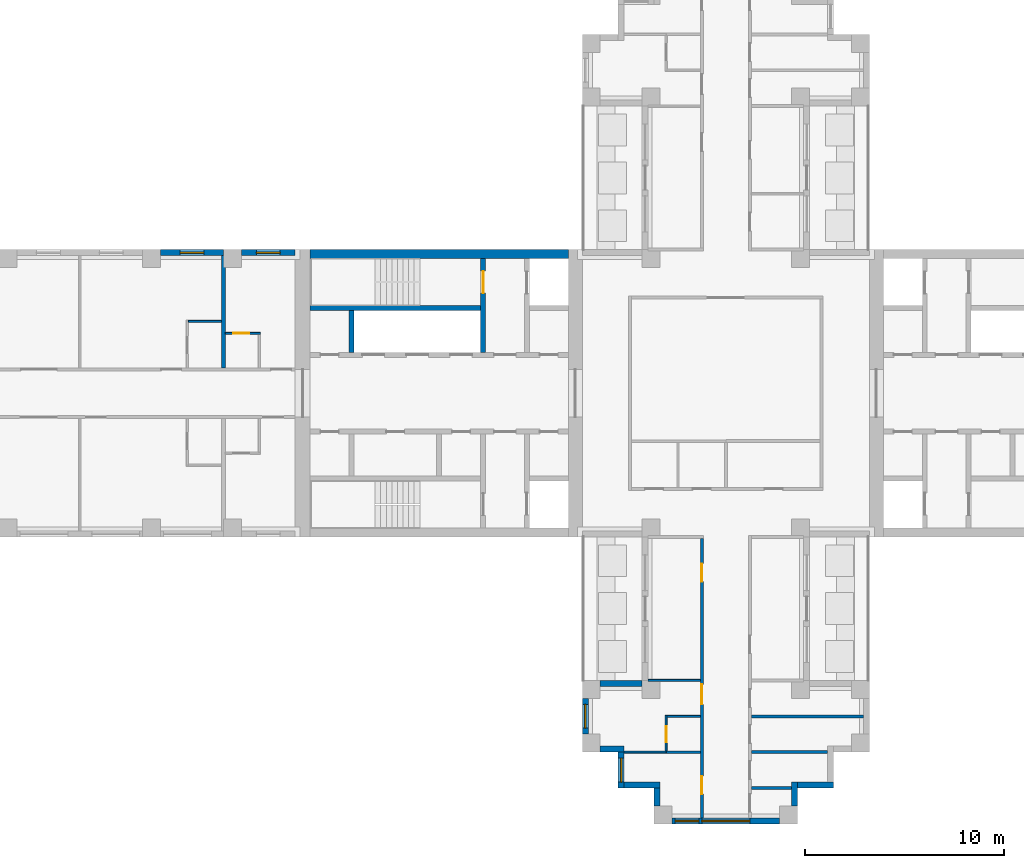
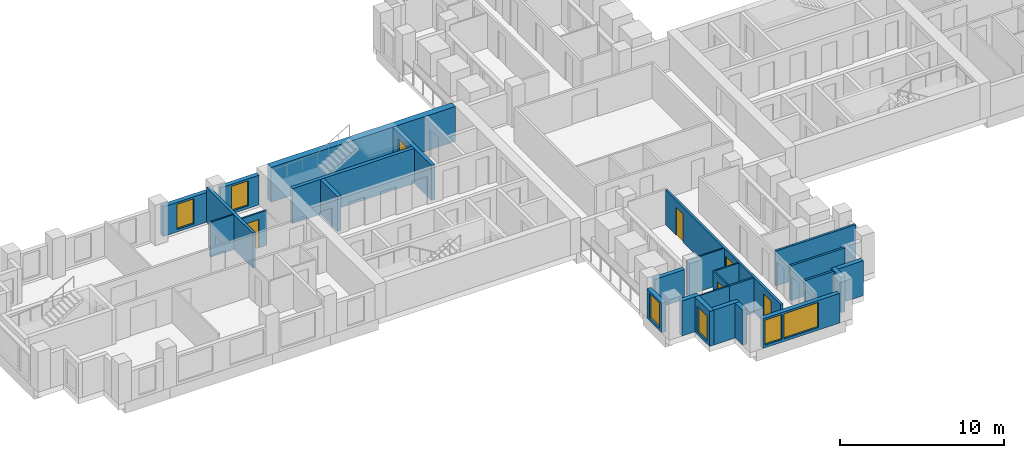
# One storey, part 4 of 11: 27 walls, 6 doors, 6 windows, 12 openings.
"""IFC4 building model written with IfcOpenShell, lengths in metres."""

from ifc_helpers import new_model, si_unit, direction, frame, frame_2d, origin, place, context, subcontext, project, spatial, rectangle, extrude, material, layer, layer_set, type_object, element, fill, save


model = new_model("IFC4")

# Units and contexts
model_context = context("Model", 3, precision=1e-05, world=origin(), true_north=direction((0.0, 1.0)))
body_context = subcontext(model_context, "Body", "Model", "MODEL_VIEW")
ifc_project = project(units=[si_unit("LENGTHUNIT", "METRE"), si_unit("AREAUNIT", "SQUARE_METRE"), si_unit("VOLUMEUNIT", "CUBIC_METRE"), si_unit("PLANEANGLEUNIT", "RADIAN"), si_unit("MASSUNIT", "GRAM", prefix="KILO")], contexts=[model_context])

# Site, building, storey
site_placement = place(None, origin())
site = spatial("IfcSite", under=ifc_project, at=site_placement, CompositionType="ELEMENT")
building_placement = place(site_placement, origin())
building = spatial("IfcBuilding", under=site, at=building_placement, Name="Fustian Cross Tower", CompositionType="ELEMENT")
storey_placement = place(building_placement, frame((0.0, 0.0, 123.300048828125)))
storey = spatial("IfcBuildingStorey", under=building, at=storey_placement, Name="L38", CompositionType="ELEMENT", Elevation=123.300048828125)

# Wall, openings, doors
ifc_material_1 = material(Name="Plasterboard on steel stud", Category="steel")
ifc_layer_1 = layer(ifc_material_1, 0.14990234375)
ifc_layer_set_1 = layer_set([ifc_layer_1], Name="Plasterboard on steel stud")
wall_type_1 = type_object("IfcWallType", Name="COMPARTMENT WALL 150 EI 60", PredefinedType="PARTITIONING", material=ifc_layer_set_1)
wall_1_placement = place(storey_placement, frame((-1.199951171875, -21.300048828125, 0.0), z_axis=(0.0, 0.0, 1.0), x_axis=(0.0, 1.0, 0.0)))
wall_1 = element("IfcWall", 1, at=wall_1_placement, inside=storey, type_object=wall_type_1, Name="Partition 32", PredefinedType="PARTITIONING", context=body_context, shape_type="SweptSolid", body=[
    extrude(rectangle(XDim=14.025146484375, YDim=0.14990234375, at=frame_2d((7.0126953125, 0.0))), origin(), (0.0, 0.0, 1.0), 2.599853515625),
])
opening_1_placement = place(wall_1_placement, frame((11.85009765625, 0.0, 0.0)))
opening_1 = element("IfcOpeningElement", 2, at=opening_1_placement, cuts=wall_1, Name="Opening D18038", PredefinedType="OPENING", context=body_context, shape_type="SweptSolid", body=[
    extrude(rectangle(XDim=0.89990234375, YDim=2.10009765625, at=frame_2d((0.449951171875, 1.050048828125))), frame((0.0, 0.0849609375, 0.0), z_axis=(0.0, -1.0, 0.0), x_axis=(1.0, 0.0, 0.0)), (0.0, 0.0, 1.0), 0.169921875),
])
opening_2_placement = place(wall_1_placement, frame((5.699951171875, 0.0, 0.0)))
opening_2 = element("IfcOpeningElement", 3, at=opening_2_placement, cuts=wall_1, Name="Opening D18040", PredefinedType="OPENING", context=body_context, shape_type="SweptSolid", body=[
    extrude(rectangle(XDim=1.0, YDim=2.10009765625, at=frame_2d((0.5, 1.050048828125))), frame((0.0, 0.0849609375, 0.0), z_axis=(0.0, -1.0, 0.0), x_axis=(1.0, 0.0, 0.0)), (0.0, 0.0, 1.0), 0.169921875),
])
opening_3_placement = place(wall_1_placement, frame((1.199951171875, 0.0, 0.0)))
opening_3 = element("IfcOpeningElement", 4, at=opening_3_placement, cuts=wall_1, Name="Opening D18041", PredefinedType="OPENING", context=body_context, shape_type="SweptSolid", body=[
    extrude(rectangle(XDim=0.89990234375, YDim=2.10009765625, at=frame_2d((0.449951171875, 1.050048828125))), frame((0.0, 0.0849609375, 0.0), z_axis=(0.0, -1.0, 0.0), x_axis=(1.0, 0.0, 0.0)), (0.0, 0.0, 1.0), 0.169921875),
])
ifc_material_2 = material(Name="Timber fire door set", Category="wood")
door_type_1 = type_object("IfcDoorType", Name="FIRE SWING DOOR 1000 FD30S", OperationType="SINGLE_SWING_LEFT", PredefinedType="DOOR", material=ifc_material_2)
door_1_placement = place(opening_2_placement, origin())
door_1 = element("IfcDoor", 5, at=door_1_placement, inside=storey, type_object=door_type_1, Name="Door D18040", OperationType="SINGLE_SWING_RIGHT", OverallHeight=2.10009765625, OverallWidth=1.0, PredefinedType="DOOR", context=body_context, shape_type="SweptSolid", body=[
    extrude(rectangle(XDim=1.0, YDim=2.10009765625, at=frame_2d((0.5, 1.050048828125))), frame((0.0, 0.02490234375, 0.0), z_axis=(0.0, -1.0, 0.0), x_axis=(1.0, 0.0, 0.0)), (0.0, 0.0, 1.0), 0.050048828125),
])
fill(opening_2, door_1)
ifc_material_3 = material(Name="Timber fire door set", Category="wood")
door_type_2 = type_object("IfcDoorType", Name="FIRE SWING DOOR 900 FD30S", OperationType="SINGLE_SWING_LEFT", PredefinedType="DOOR", material=ifc_material_3)
door_2_placement = place(opening_1_placement, origin())
door_2 = element("IfcDoor", 6, at=door_2_placement, inside=storey, type_object=door_type_2, Name="Door D18038", OperationType="SINGLE_SWING_RIGHT", OverallHeight=2.10009765625, OverallWidth=0.89990234375, PredefinedType="DOOR", context=body_context, shape_type="SweptSolid", body=[
    extrude(rectangle(XDim=0.89990234375, YDim=2.10009765625, at=frame_2d((0.449951171875, 1.050048828125))), frame((0.0, 0.02490234375, 0.0), z_axis=(0.0, -1.0, 0.0), x_axis=(1.0, 0.0, 0.0)), (0.0, 0.0, 1.0), 0.050048828125),
])
fill(opening_1, door_2)
door_3_placement = place(opening_3_placement, origin())
door_3 = element("IfcDoor", 7, at=door_3_placement, inside=storey, type_object=door_type_2, Name="Door D18041", OperationType="SINGLE_SWING_LEFT", OverallHeight=2.10009765625, OverallWidth=0.89990234375, PredefinedType="DOOR", context=body_context, shape_type="SweptSolid", body=[
    extrude(rectangle(XDim=0.89990234375, YDim=2.10009765625, at=frame_2d((0.449951171875, 1.050048828125))), frame((0.0, 0.02490234375, 0.0), z_axis=(0.0, -1.0, 0.0), x_axis=(1.0, 0.0, 0.0)), (0.0, 0.0, 1.0), 0.050048828125),
])
fill(opening_3, door_3)

# Walls
wall_2_placement = place(storey_placement, frame((1.27490234375, -19.800048828125, 0.0), z_axis=(0.0, 0.0, 1.0), x_axis=(1.0, 0.0, 0.0)))
element("IfcWall", 8, at=wall_2_placement, inside=storey, type_object=wall_type_1, Name="Partition 37", PredefinedType="PARTITIONING", context=body_context, shape_type="SweptSolid", body=[
    extrude(rectangle(XDim=2.025146484375, YDim=0.14990234375, at=frame_2d((1.0126953125, 0.0))), origin(), (0.0, 0.0, 1.0), 2.599853515625),
])
wall_3_placement = place(storey_placement, frame((1.27490234375, -18.0, 0.0), z_axis=(0.0, 0.0, 1.0), x_axis=(1.0, 0.0, 0.0)))
element("IfcWall", 9, at=wall_3_placement, inside=storey, type_object=wall_type_1, Name="Partition 38", PredefinedType="PARTITIONING", context=body_context, shape_type="SweptSolid", body=[
    extrude(rectangle(XDim=3.8251953125, YDim=0.14990234375, at=frame_2d((1.91259765625, 0.0))), origin(), (0.0, 0.0, 1.0), 2.599853515625),
])
wall_4_placement = place(storey_placement, frame((1.27490234375, -16.199951171875, 0.0), z_axis=(0.0, 0.0, 1.0), x_axis=(1.0, 0.0, 0.0)))
element("IfcWall", 10, at=wall_4_placement, inside=storey, type_object=wall_type_1, Name="Partition 39", PredefinedType="PARTITIONING", context=body_context, shape_type="SweptSolid", body=[
    extrude(rectangle(XDim=5.625, YDim=0.14990234375, at=frame_2d((2.8125, 0.0))), origin(), (0.0, 0.0, 1.0), 2.599853515625),
])
ifc_material_4 = material(Name="Concrete C60/75", Category="concrete")
ifc_layer_2 = layer(ifc_material_4, 0.449951171875)
ifc_layer_set_2 = layer_set([ifc_layer_2], Name="Concrete C60/75")
wall_type_2 = type_object("IfcWallType", Name="CORE FACADE WALL 450 C60/75", PredefinedType="SHEAR", material=ifc_layer_set_2)
wall_5_placement = place(storey_placement, frame((-7.89990234375, 6.97509765625, 0.0), z_axis=(0.0, 0.0, 1.0), x_axis=(-1.0, 0.0, 0.0)))
element("IfcWall", 11, at=wall_5_placement, inside=storey, type_object=wall_type_2, Name="Core facade wall", PredefinedType="SHEAR", context=body_context, shape_type="SweptSolid", body=[
    extrude(rectangle(XDim=12.9501953125, YDim=0.449951171875, at=frame_2d((6.47509765625, 0.0))), origin(), (0.0, 0.0, 1.0), 2.599853515625),
])
ifc_material_5 = material(Name="Concrete C50/60", Category="concrete")
ifc_layer_3 = layer(ifc_material_5, 0.25)
ifc_layer_set_3 = layer_set([ifc_layer_3], Name="Concrete C50/60")
wall_type_3 = type_object("IfcWallType", Name="CORE SHAFT WALL 250 C50/60", PredefinedType="SHEAR", material=ifc_layer_set_3)
wall_6_placement = place(storey_placement, frame((-12.300048828125, 4.27490234375, 0.0), z_axis=(0.0, 0.0, 1.0), x_axis=(-1.0, 0.0, 0.0)))
element("IfcWall", 12, at=wall_6_placement, inside=storey, type_object=wall_type_3, Name="Core shaft wall", PredefinedType="SHEAR", context=body_context, shape_type="SweptSolid", body=[
    extrude(rectangle(XDim=8.550048828125, YDim=0.25, at=frame_2d((4.27490234375, 0.0))), origin(), (0.0, 0.0, 1.0), 2.599853515625),
])

# Wall, opening, door
wall_7_placement = place(storey_placement, frame((-12.175048828125, 2.050048828125, 0.0), z_axis=(0.0, 0.0, 1.0), x_axis=(0.0, 1.0, 0.0)))
wall_7 = element("IfcWall", 13, at=wall_7_placement, inside=storey, type_object=wall_type_3, Name="Core shaft wall", PredefinedType="SHEAR", context=body_context, shape_type="SweptSolid", body=[
    extrude(rectangle(XDim=4.699951171875, YDim=0.25, at=frame_2d((2.35009765625, 0.0))), origin(), (0.0, 0.0, 1.0), 2.599853515625),
])
opening_4_placement = place(wall_7_placement, frame((2.97509765625, 0.0, 0.0)))
opening_4 = element("IfcOpeningElement", 14, at=opening_4_placement, cuts=wall_7, Name="Opening CD-16-23", PredefinedType="OPENING", context=body_context, shape_type="SweptSolid", body=[
    extrude(rectangle(XDim=1.10009765625, YDim=2.10009765625, at=frame_2d((0.550048828125, 1.050048828125))), frame((0.0, 0.135009765625, 0.0), z_axis=(0.0, -1.0, 0.0), x_axis=(1.0, 0.0, 0.0)), (0.0, 0.0, 1.0), 0.27001953125),
])
ifc_material_6 = material(Name="Steel", Category="steel")
door_type_3 = type_object("IfcDoorType", Name="FIRE DOOR FD60S 1100X2100", OperationType="SINGLE_SWING_LEFT", PredefinedType="DOOR", material=ifc_material_6)
door_4_placement = place(opening_4_placement, origin())
door_4 = element("IfcDoor", 15, at=door_4_placement, inside=storey, type_object=door_type_3, Name="Core door CD-16-23", OperationType="SINGLE_SWING_LEFT", OverallHeight=2.10009765625, OverallWidth=1.10009765625, PredefinedType="DOOR", context=body_context, shape_type="SweptSolid", body=[
    extrude(rectangle(XDim=1.10009765625, YDim=2.10009765625, at=frame_2d((0.550048828125, 1.050048828125))), frame((0.0, 0.02490234375, 0.0), z_axis=(0.0, -1.0, 0.0), x_axis=(1.0, 0.0, 0.0)), (0.0, 0.0, 1.0), 0.050048828125),
])
fill(opening_4, door_4)

# Wall
ifc_material_7 = material(Name="Plasterboard on steel stud", Category="steel")
ifc_layer_4 = layer(ifc_material_7, 0.10009765625)
ifc_layer_set_4 = layer_set([ifc_layer_4], Name="Plasterboard on steel stud")
wall_type_4 = type_object("IfcWallType", Name="PARTITION 100 STUD", PredefinedType="PARTITIONING", material=ifc_layer_set_4)
wall_8_placement = place(storey_placement, frame((-26.949951171875, 3.60009765625, 0.0), z_axis=(0.0, 0.0, 1.0), x_axis=(1.0, 0.0, 0.0)))
element("IfcWall", 16, at=wall_8_placement, inside=storey, type_object=wall_type_4, Name="Partition 8", PredefinedType="PARTITIONING", context=body_context, shape_type="SweptSolid", body=[
    extrude(rectangle(XDim=1.64990234375, YDim=0.10009765625, at=frame_2d((0.824951171875, 0.0))), origin(), (0.0, 0.0, 1.0), 2.599853515625),
])

# Wall, opening, door
wall_9_placement = place(storey_placement, frame((-25.10009765625, 3.0, 0.0), z_axis=(0.0, 0.0, 1.0), x_axis=(1.0, 0.0, 0.0)))
wall_9 = element("IfcWall", 17, at=wall_9_placement, inside=storey, type_object=wall_type_4, Name="Partition 12", PredefinedType="PARTITIONING", context=body_context, shape_type="SweptSolid", body=[
    extrude(rectangle(XDim=1.75, YDim=0.10009765625, at=frame_2d((0.875, 0.0))), origin(), (0.0, 0.0, 1.0), 2.599853515625),
])
opening_5_placement = place(wall_9_placement, frame((0.39990234375, 0.0, 0.0)))
opening_5 = element("IfcOpeningElement", 18, at=opening_5_placement, cuts=wall_9, Name="Opening D18028", PredefinedType="OPENING", context=body_context, shape_type="SweptSolid", body=[
    extrude(rectangle(XDim=0.800048828125, YDim=2.10009765625, at=frame_2d((0.39990234375, 1.050048828125))), frame((0.0, 0.06005859375, 0.0), z_axis=(0.0, -1.0, 0.0), x_axis=(1.0, 0.0, 0.0)), (0.0, 0.0, 1.0), 0.1201171875),
])
ifc_material_8 = material(Name="Painted timber", Category="wood")
door_type_4 = type_object("IfcDoorType", Name="SWING DOOR 800", OperationType="SINGLE_SWING_LEFT", PredefinedType="DOOR", material=ifc_material_8)
door_5_placement = place(opening_5_placement, frame((0.800048828125, 0.0, 0.0), z_axis=(0.0, 0.0, 1.0), x_axis=(-1.0, 0.0, 0.0)))
door_5 = element("IfcDoor", 19, at=door_5_placement, inside=storey, type_object=door_type_4, Name="Door D18028", OperationType="SINGLE_SWING_LEFT", OverallHeight=2.10009765625, OverallWidth=0.800048828125, PredefinedType="DOOR", context=body_context, shape_type="SweptSolid", body=[
    extrude(rectangle(XDim=0.800048828125, YDim=2.10009765625, at=frame_2d((0.39990234375, 1.050048828125))), frame((0.0, 0.02490234375, 0.0), z_axis=(0.0, -1.0, 0.0), x_axis=(1.0, 0.0, 0.0)), (0.0, 0.0, 1.0), 0.050048828125),
])
fill(opening_5, door_5)

# Walls
wall_10_placement = place(storey_placement, frame((-5.10009765625, -18.0, 0.0), z_axis=(0.0, 0.0, 1.0), x_axis=(1.0, 0.0, 0.0)))
element("IfcWall", 20, at=wall_10_placement, inside=storey, type_object=wall_type_4, Name="Partition 15", PredefinedType="PARTITIONING", context=body_context, shape_type="SweptSolid", body=[
    extrude(rectangle(XDim=2.10009765625, YDim=0.10009765625, at=frame_2d((1.050048828125, 0.0))), origin(), (0.0, 0.0, 1.0), 2.599853515625),
])
wall_11_placement = place(storey_placement, frame((-3.89990234375, -14.39990234375, 0.0), z_axis=(0.0, 0.0, 1.0), x_axis=(1.0, 0.0, 0.0)))
element("IfcWall", 21, at=wall_11_placement, inside=storey, type_object=wall_type_4, Name="Partition 21", PredefinedType="PARTITIONING", context=body_context, shape_type="SweptSolid", body=[
    extrude(rectangle(XDim=2.625, YDim=0.10009765625, at=frame_2d((1.3125, 0.0))), origin(), (0.0, 0.0, 1.0), 2.599853515625),
])

# Wall, opening, door
wall_12_placement = place(storey_placement, frame((-3.0, -17.9375, 0.0), z_axis=(0.0, 0.0, 1.0), x_axis=(0.0, 1.0, 0.0)))
wall_12 = element("IfcWall", 22, at=wall_12_placement, inside=storey, type_object=wall_type_4, Name="Partition 25", PredefinedType="PARTITIONING", context=body_context, shape_type="SweptSolid", body=[
    extrude(rectangle(XDim=1.78759765625, YDim=0.10009765625, at=frame_2d((0.893798828125, 0.0))), origin(), (0.0, 0.0, 1.0), 2.599853515625),
])
opening_6_placement = place(wall_12_placement, frame((0.4375, 0.0, 0.0)))
opening_6 = element("IfcOpeningElement", 23, at=opening_6_placement, cuts=wall_12, Name="Opening D18039", PredefinedType="OPENING", context=body_context, shape_type="SweptSolid", body=[
    extrude(rectangle(XDim=0.800048828125, YDim=2.10009765625, at=frame_2d((0.39990234375, 1.050048828125))), frame((0.0, 0.06005859375, 0.0), z_axis=(0.0, -1.0, 0.0), x_axis=(1.0, 0.0, 0.0)), (0.0, 0.0, 1.0), 0.1201171875),
])
door_6_placement = place(opening_6_placement, frame((0.800048828125, 0.0, 0.0), z_axis=(0.0, 0.0, 1.0), x_axis=(-1.0, 0.0, 0.0)))
door_6 = element("IfcDoor", 24, at=door_6_placement, inside=storey, type_object=door_type_4, Name="Door D18039", OperationType="SINGLE_SWING_LEFT", OverallHeight=2.10009765625, OverallWidth=0.800048828125, PredefinedType="DOOR", context=body_context, shape_type="SweptSolid", body=[
    extrude(rectangle(XDim=0.800048828125, YDim=2.10009765625, at=frame_2d((0.39990234375, 1.050048828125))), frame((0.0, 0.02490234375, 0.0), z_axis=(0.0, -1.0, 0.0), x_axis=(1.0, 0.0, 0.0)), (0.0, 0.0, 1.0), 0.050048828125),
])
fill(opening_6, door_6)

# Walls
wall_13_placement = place(storey_placement, frame((-2.949951171875, -16.199951171875, 0.0), z_axis=(0.0, 0.0, 1.0), x_axis=(1.0, 0.0, 0.0)))
element("IfcWall", 25, at=wall_13_placement, inside=storey, type_object=wall_type_4, Name="Partition 27", PredefinedType="PARTITIONING", context=body_context, shape_type="SweptSolid", body=[
    extrude(rectangle(XDim=1.675048828125, YDim=0.10009765625, at=frame_2d((0.83740234375, 0.0))), origin(), (0.0, 0.0, 1.0), 2.599853515625),
])
ifc_material_9 = material(Name="Plasterboard on steel stud", Category="steel")
ifc_layer_5 = layer(ifc_material_9, 0.199951171875)
ifc_layer_set_5 = layer_set([ifc_layer_5], Name="Plasterboard on steel stud")
wall_type_5 = type_object("IfcWallType", Name="PARTY WALL 200 EI 60", PredefinedType="PARTITIONING", material=ifc_layer_set_5)
wall_14_placement = place(storey_placement, frame((-25.199951171875, 1.27490234375, 0.0), z_axis=(0.0, 0.0, 1.0), x_axis=(0.0, 1.0, 0.0)))
element("IfcWall", 26, at=wall_14_placement, inside=storey, type_object=wall_type_5, Name="Partition 11", PredefinedType="PARTITIONING", context=body_context, shape_type="SweptSolid", body=[
    extrude(rectangle(XDim=5.625, YDim=0.199951171875, at=frame_2d((2.8125, 0.0))), origin(), (0.0, 0.0, 1.0), 2.599853515625),
])
ifc_material_10 = material(Name="Concrete C40/50", Category="concrete")
ifc_layer_6 = layer(ifc_material_10, 0.25)
ifc_layer_set_6 = layer_set([ifc_layer_6], Name="Concrete C40/50")
wall_type_6 = type_object("IfcWallType", Name="SHAFT PARTITION WALL 250 C40/50", PredefinedType="PARTITIONING", material=ifc_layer_set_6)
wall_15_placement = place(storey_placement, frame((-18.77490234375, 2.050048828125, 0.0), z_axis=(0.0, 0.0, 1.0), x_axis=(0.0, 1.0, 0.0)))
element("IfcWall", 27, at=wall_15_placement, inside=storey, type_object=wall_type_6, Name="Core shaft wall", PredefinedType="PARTITIONING", context=body_context, shape_type="SweptSolid", body=[
    extrude(rectangle(XDim=2.099853515625, YDim=0.25, at=frame_2d((1.0498046875, 0.0))), origin(), (0.0, 0.0, 1.0), 2.599853515625),
])
ifc_material_11 = material(Name="Plasterboard on steel stud", Category="steel")
ifc_layer_7 = layer(ifc_material_11, 0.125)
ifc_layer_set_7 = layer_set([ifc_layer_7], Name="Plasterboard on steel stud")
wall_type_7 = type_object("IfcWallType", Name="WET WALL 125 STUD", PredefinedType="PARTITIONING", material=ifc_layer_set_7)
wall_16_placement = place(storey_placement, frame((-3.0, -18.0, 0.0), z_axis=(0.0, 0.0, 1.0), x_axis=(1.0, 0.0, 0.0)))
element("IfcWall", 28, at=wall_16_placement, inside=storey, type_object=wall_type_7, Name="Partition 26", PredefinedType="PARTITIONING", context=body_context, shape_type="SweptSolid", body=[
    extrude(rectangle(XDim=1.72509765625, YDim=0.125, at=frame_2d((0.862548828125, 0.0))), origin(), (0.0, 0.0, 1.0), 2.599853515625),
])

# Wall, opening, window
ifc_material_12 = material(Name="Dark aluminium cladding on insulated backing wall", Category="aluminium")
ifc_layer_8 = layer(ifc_material_12, 0.300048828125)
ifc_layer_set_8 = layer_set([ifc_layer_8], Name="Dark aluminium cladding on insulated backing wall")
wall_type_8 = type_object("IfcWallType", Name="XW1 EXTERNAL WALL 300", PredefinedType="SOLIDWALL", material=ifc_layer_set_8)
wall_17_placement = place(storey_placement, frame((-21.60009765625, 7.050048828125, 0.0), z_axis=(0.0, 0.0, 1.0), x_axis=(-1.0, 0.0, 0.0)))
wall_17 = element("IfcWall", 29, at=wall_17_placement, inside=storey, type_object=wall_type_8, Name="External wall", PredefinedType="SOLIDWALL", context=body_context, shape_type="SweptSolid", body=[
    extrude(rectangle(XDim=2.699951171875, YDim=0.300048828125, at=frame_2d((1.35009765625, 0.0))), origin(), (0.0, 0.0, 1.0), 2.199951171875),
])
opening_7_placement = place(wall_17_placement, frame((0.75, 0.0, 0.199951171875)))
opening_7 = element("IfcOpeningElement", 30, at=opening_7_placement, cuts=wall_17, Name="Opening WN3", PredefinedType="OPENING", context=body_context, shape_type="SweptSolid", body=[
    extrude(rectangle(XDim=1.199951171875, YDim=1.85009765625, at=frame_2d((0.60009765625, 0.925048828125))), frame((0.0, 0.159912109375, 0.0), z_axis=(0.0, -1.0, 0.0), x_axis=(1.0, 0.0, 0.0)), (0.0, 0.0, 1.0), 0.320068359375),
])
ifc_material_13 = material(Name="Dark anodised aluminium and double glazing", Category="aluminium")
window_type_1 = type_object("IfcWindowType", Name="WN3 WINDOW 1200X1850", PartitioningType="SINGLE_PANEL", PredefinedType="WINDOW", material=ifc_material_13)
window_1_placement = place(opening_7_placement, origin())
window_1 = element("IfcWindow", 31, at=window_1_placement, inside=storey, type_object=window_type_1, Name="Window", OverallHeight=1.85009765625, OverallWidth=1.199951171875, PartitioningType="SINGLE_PANEL", PredefinedType="WINDOW", context=body_context, shape_type="SweptSolid", body=[
    extrude(rectangle(XDim=1.199951171875, YDim=1.85009765625, at=frame_2d((0.60009765625, 0.925048828125))), frame((0.0, 0.030029296875, 0.0), z_axis=(0.0, -1.0, 0.0), x_axis=(1.0, 0.0, 0.0)), (0.0, 0.0, 1.0), 0.06005859375),
])
fill(opening_7, window_1)

wall_18_placement = place(storey_placement, frame((-25.199951171875, 7.050048828125, 0.0), z_axis=(0.0, 0.0, 1.0), x_axis=(-1.0, 0.0, 0.0)))
wall_18 = element("IfcWall", 32, at=wall_18_placement, inside=storey, type_object=wall_type_8, Name="External wall", PredefinedType="SOLIDWALL", context=body_context, shape_type="SweptSolid", body=[
    extrude(rectangle(XDim=3.150146484375, YDim=0.300048828125, at=frame_2d((1.5751953125, 0.0))), origin(), (0.0, 0.0, 1.0), 2.199951171875),
])
opening_8_placement = place(wall_18_placement, frame((0.97509765625, 0.0, 0.199951171875)))
opening_8 = element("IfcOpeningElement", 33, at=opening_8_placement, cuts=wall_18, Name="Opening WN3", PredefinedType="OPENING", context=body_context, shape_type="SweptSolid", body=[
    extrude(rectangle(XDim=1.199951171875, YDim=1.85009765625, at=frame_2d((0.60009765625, 0.925048828125))), frame((0.0, 0.159912109375, 0.0), z_axis=(0.0, -1.0, 0.0), x_axis=(1.0, 0.0, 0.0)), (0.0, 0.0, 1.0), 0.320068359375),
])
window_2_placement = place(opening_8_placement, origin())
window_2 = element("IfcWindow", 34, at=window_2_placement, inside=storey, type_object=window_type_1, Name="Window", OverallHeight=1.85009765625, OverallWidth=1.199951171875, PartitioningType="SINGLE_PANEL", PredefinedType="WINDOW", context=body_context, shape_type="SweptSolid", body=[
    extrude(rectangle(XDim=1.199951171875, YDim=1.85009765625, at=frame_2d((0.60009765625, 0.925048828125))), frame((0.0, 0.030029296875, 0.0), z_axis=(0.0, -1.0, 0.0), x_axis=(1.0, 0.0, 0.0)), (0.0, 0.0, 1.0), 0.06005859375),
])
fill(opening_8, window_2)

# Wall
wall_19_placement = place(storey_placement, frame((-4.199951171875, -14.550048828125, 0.0), z_axis=(0.0, 0.0, 1.0), x_axis=(-1.0, 0.0, 0.0)))
element("IfcWall", 35, at=wall_19_placement, inside=storey, type_object=wall_type_8, Name="External wall", PredefinedType="SOLIDWALL", context=body_context, shape_type="SweptSolid", body=[
    extrude(rectangle(XDim=2.10009765625, YDim=0.300048828125, at=frame_2d((1.050048828125, 0.0))), origin(), (0.0, 0.0, 1.0), 2.199951171875),
])

# Wall, opening, window
wall_20_placement = place(storey_placement, frame((-7.050048828125, -15.300048828125, 0.0), z_axis=(0.0, 0.0, 1.0), x_axis=(0.0, -1.0, 0.0)))
wall_20 = element("IfcWall", 36, at=wall_20_placement, inside=storey, type_object=wall_type_8, Name="External wall", PredefinedType="SOLIDWALL", context=body_context, shape_type="SweptSolid", body=[
    extrude(rectangle(XDim=1.800048828125, YDim=0.300048828125, at=frame_2d((0.89990234375, 0.0))), origin(), (0.0, 0.0, 1.0), 2.199951171875),
])
opening_9_placement = place(wall_20_placement, frame((0.300048828125, 0.0, 0.199951171875)))
opening_9 = element("IfcOpeningElement", 37, at=opening_9_placement, cuts=wall_20, Name="Opening WN3", PredefinedType="OPENING", context=body_context, shape_type="SweptSolid", body=[
    extrude(rectangle(XDim=1.199951171875, YDim=1.85009765625, at=frame_2d((0.60009765625, 0.925048828125))), frame((0.0, 0.159912109375, 0.0), z_axis=(0.0, -1.0, 0.0), x_axis=(1.0, 0.0, 0.0)), (0.0, 0.0, 1.0), 0.320068359375),
])
window_3_placement = place(opening_9_placement, origin())
window_3 = element("IfcWindow", 38, at=window_3_placement, inside=storey, type_object=window_type_1, Name="Window", OverallHeight=1.85009765625, OverallWidth=1.199951171875, PartitioningType="SINGLE_PANEL", PredefinedType="WINDOW", context=body_context, shape_type="SweptSolid", body=[
    extrude(rectangle(XDim=1.199951171875, YDim=1.85009765625, at=frame_2d((0.60009765625, 0.925048828125))), frame((0.0, 0.030029296875, 0.0), z_axis=(0.0, -1.0, 0.0), x_axis=(1.0, 0.0, 0.0)), (0.0, 0.0, 1.0), 0.06005859375),
])
fill(opening_9, window_3)

# Wall
wall_21_placement = place(storey_placement, frame((-6.300048828125, -17.85009765625, 0.0), z_axis=(0.0, 0.0, 1.0), x_axis=(1.0, 0.0, 0.0)))
element("IfcWall", 39, at=wall_21_placement, inside=storey, type_object=wall_type_8, Name="External wall", PredefinedType="SOLIDWALL", context=body_context, shape_type="SweptSolid", body=[
    extrude(rectangle(XDim=1.199951171875, YDim=0.300048828125, at=frame_2d((0.60009765625, 0.0))), origin(), (0.0, 0.0, 1.0), 2.599853515625),
])

# Wall, opening, window
wall_22_placement = place(storey_placement, frame((-5.25, -18.0, 0.0), z_axis=(0.0, 0.0, 1.0), x_axis=(0.0, -1.0, 0.0)))
wall_22 = element("IfcWall", 40, at=wall_22_placement, inside=storey, type_object=wall_type_8, Name="External wall", PredefinedType="SOLIDWALL", context=body_context, shape_type="SweptSolid", body=[
    extrude(rectangle(XDim=1.800048828125, YDim=0.300048828125, at=frame_2d((0.89990234375, 0.0))), origin(), (0.0, 0.0, 1.0), 2.599853515625),
])
opening_10_placement = place(wall_22_placement, frame((0.300048828125, 0.0, 0.199951171875)))
opening_10 = element("IfcOpeningElement", 41, at=opening_10_placement, cuts=wall_22, Name="Opening WN3", PredefinedType="OPENING", context=body_context, shape_type="SweptSolid", body=[
    extrude(rectangle(XDim=1.199951171875, YDim=1.85009765625, at=frame_2d((0.60009765625, 0.925048828125))), frame((0.0, 0.159912109375, 0.0), z_axis=(0.0, -1.0, 0.0), x_axis=(1.0, 0.0, 0.0)), (0.0, 0.0, 1.0), 0.320068359375),
])
window_4_placement = place(opening_10_placement, origin())
window_4 = element("IfcWindow", 42, at=window_4_placement, inside=storey, type_object=window_type_1, Name="Window", OverallHeight=1.85009765625, OverallWidth=1.199951171875, PartitioningType="SINGLE_PANEL", PredefinedType="WINDOW", context=body_context, shape_type="SweptSolid", body=[
    extrude(rectangle(XDim=1.199951171875, YDim=1.85009765625, at=frame_2d((0.60009765625, 0.925048828125))), frame((0.0, 0.030029296875, 0.0), z_axis=(0.0, -1.0, 0.0), x_axis=(1.0, 0.0, 0.0)), (0.0, 0.0, 1.0), 0.06005859375),
])
fill(opening_10, window_4)

# Walls
wall_23_placement = place(storey_placement, frame((-5.10009765625, -19.64990234375, 0.0), z_axis=(0.0, 0.0, 1.0), x_axis=(1.0, 0.0, 0.0)))
element("IfcWall", 43, at=wall_23_placement, inside=storey, type_object=wall_type_8, Name="External wall", PredefinedType="SOLIDWALL", context=body_context, shape_type="SweptSolid", body=[
    extrude(rectangle(XDim=1.800048828125, YDim=0.300048828125, at=frame_2d((0.89990234375, 0.0))), origin(), (0.0, 0.0, 1.0), 2.599853515625),
])
wall_24_placement = place(storey_placement, frame((-3.449951171875, -19.800048828125, 0.0), z_axis=(0.0, 0.0, 1.0), x_axis=(0.0, -1.0, 0.0)))
element("IfcWall", 44, at=wall_24_placement, inside=storey, type_object=wall_type_8, Name="External wall", PredefinedType="SOLIDWALL", context=body_context, shape_type="SweptSolid", body=[
    extrude(rectangle(XDim=0.89990234375, YDim=0.300048828125, at=frame_2d((0.449951171875, 0.0))), origin(), (0.0, 0.0, 1.0), 2.599853515625),
])

# Wall, openings, windows
wall_25_placement = place(storey_placement, frame((-2.699951171875, -21.449951171875, 0.0), z_axis=(0.0, 0.0, 1.0), x_axis=(1.0, 0.0, 0.0)))
wall_25 = element("IfcWall", 45, at=wall_25_placement, inside=storey, type_object=wall_type_8, Name="External wall", PredefinedType="SOLIDWALL", context=body_context, shape_type="SweptSolid", body=[
    extrude(rectangle(XDim=5.39990234375, YDim=0.300048828125, at=frame_2d((2.699951171875, 0.0))), origin(), (0.0, 0.0, 1.0), 2.199951171875),
])
opening_11_placement = place(wall_25_placement, frame((1.5, 0.0, 0.199951171875)))
opening_11 = element("IfcOpeningElement", 46, at=opening_11_placement, cuts=wall_25, Name="Opening WN1", PredefinedType="OPENING", context=body_context, shape_type="SweptSolid", body=[
    extrude(rectangle(XDim=2.39990234375, YDim=1.85009765625, at=frame_2d((1.199951171875, 0.925048828125))), frame((0.0, 0.159912109375, 0.0), z_axis=(0.0, -1.0, 0.0), x_axis=(1.0, 0.0, 0.0)), (0.0, 0.0, 1.0), 0.320068359375),
])
opening_12_placement = place(wall_25_placement, frame((0.14990234375, 0.0, 0.199951171875)))
opening_12 = element("IfcOpeningElement", 47, at=opening_12_placement, cuts=wall_25, Name="Opening WN3", PredefinedType="OPENING", context=body_context, shape_type="SweptSolid", body=[
    extrude(rectangle(XDim=1.199951171875, YDim=1.85009765625, at=frame_2d((0.60009765625, 0.925048828125))), frame((0.0, 0.159912109375, 0.0), z_axis=(0.0, -1.0, 0.0), x_axis=(1.0, 0.0, 0.0)), (0.0, 0.0, 1.0), 0.320068359375),
])
ifc_material_14 = material(Name="Dark anodised aluminium and double glazing", Category="aluminium")
window_type_2 = type_object("IfcWindowType", Name="WN1 WINDOW 2400X1850", PartitioningType="SINGLE_PANEL", PredefinedType="WINDOW", material=ifc_material_14)
window_5_placement = place(opening_11_placement, origin())
window_5 = element("IfcWindow", 48, at=window_5_placement, inside=storey, type_object=window_type_2, Name="Window", OverallHeight=1.85009765625, OverallWidth=2.39990234375, PartitioningType="SINGLE_PANEL", PredefinedType="WINDOW", context=body_context, shape_type="SweptSolid", body=[
    extrude(rectangle(XDim=2.39990234375, YDim=1.85009765625, at=frame_2d((1.199951171875, 0.925048828125))), frame((0.0, 0.030029296875, 0.0), z_axis=(0.0, -1.0, 0.0), x_axis=(1.0, 0.0, 0.0)), (0.0, 0.0, 1.0), 0.06005859375),
])
fill(opening_11, window_5)
window_6_placement = place(opening_12_placement, origin())
window_6 = element("IfcWindow", 49, at=window_6_placement, inside=storey, type_object=window_type_1, Name="Window", OverallHeight=1.85009765625, OverallWidth=1.199951171875, PartitioningType="SINGLE_PANEL", PredefinedType="WINDOW", context=body_context, shape_type="SweptSolid", body=[
    extrude(rectangle(XDim=1.199951171875, YDim=1.85009765625, at=frame_2d((0.60009765625, 0.925048828125))), frame((0.0, 0.030029296875, 0.0), z_axis=(0.0, -1.0, 0.0), x_axis=(1.0, 0.0, 0.0)), (0.0, 0.0, 1.0), 0.06005859375),
])
fill(opening_12, window_6)

# Walls
wall_26_placement = place(storey_placement, frame((3.449951171875, -20.699951171875, 0.0), z_axis=(0.0, 0.0, 1.0), x_axis=(0.0, 1.0, 0.0)))
element("IfcWall", 50, at=wall_26_placement, inside=storey, type_object=wall_type_8, Name="External wall", PredefinedType="SOLIDWALL", context=body_context, shape_type="SweptSolid", body=[
    extrude(rectangle(XDim=1.199951171875, YDim=0.300048828125, at=frame_2d((0.60009765625, 0.0))), origin(), (0.0, 0.0, 1.0), 2.599853515625),
])
wall_27_placement = place(storey_placement, frame((3.60009765625, -19.64990234375, 0.0), z_axis=(0.0, 0.0, 1.0), x_axis=(1.0, 0.0, 0.0)))
element("IfcWall", 51, at=wall_27_placement, inside=storey, type_object=wall_type_8, Name="External wall", PredefinedType="SOLIDWALL", context=body_context, shape_type="SweptSolid", body=[
    extrude(rectangle(XDim=1.7998046875, YDim=0.300048828125, at=frame_2d((0.89990234375, 0.0))), origin(), (0.0, 0.0, 1.0), 2.599853515625),
])

save(model, "model.ifc")
